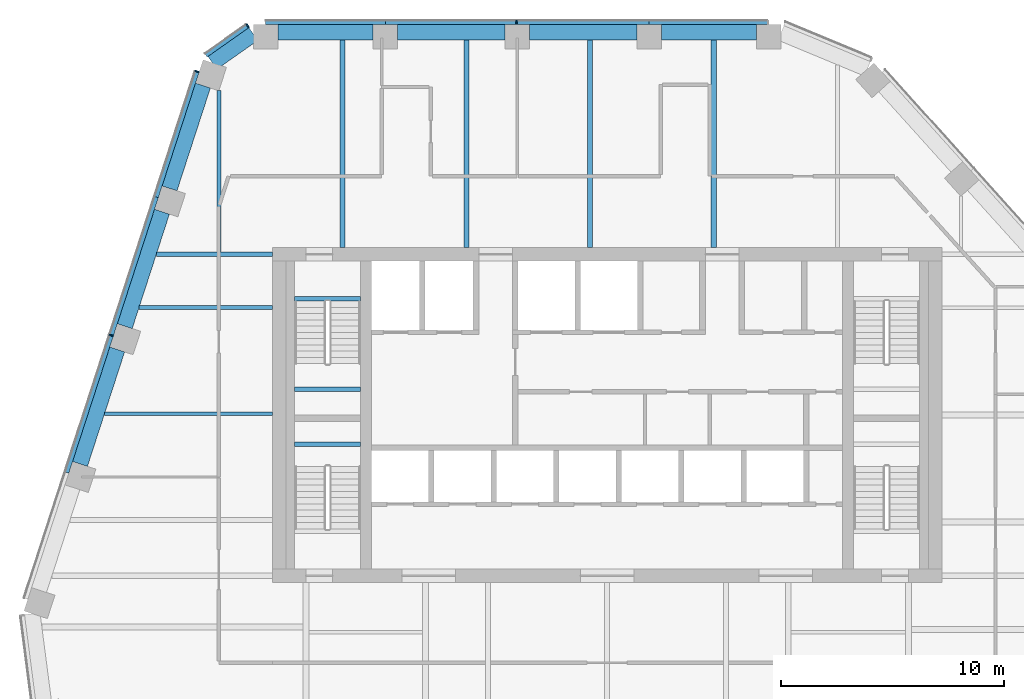
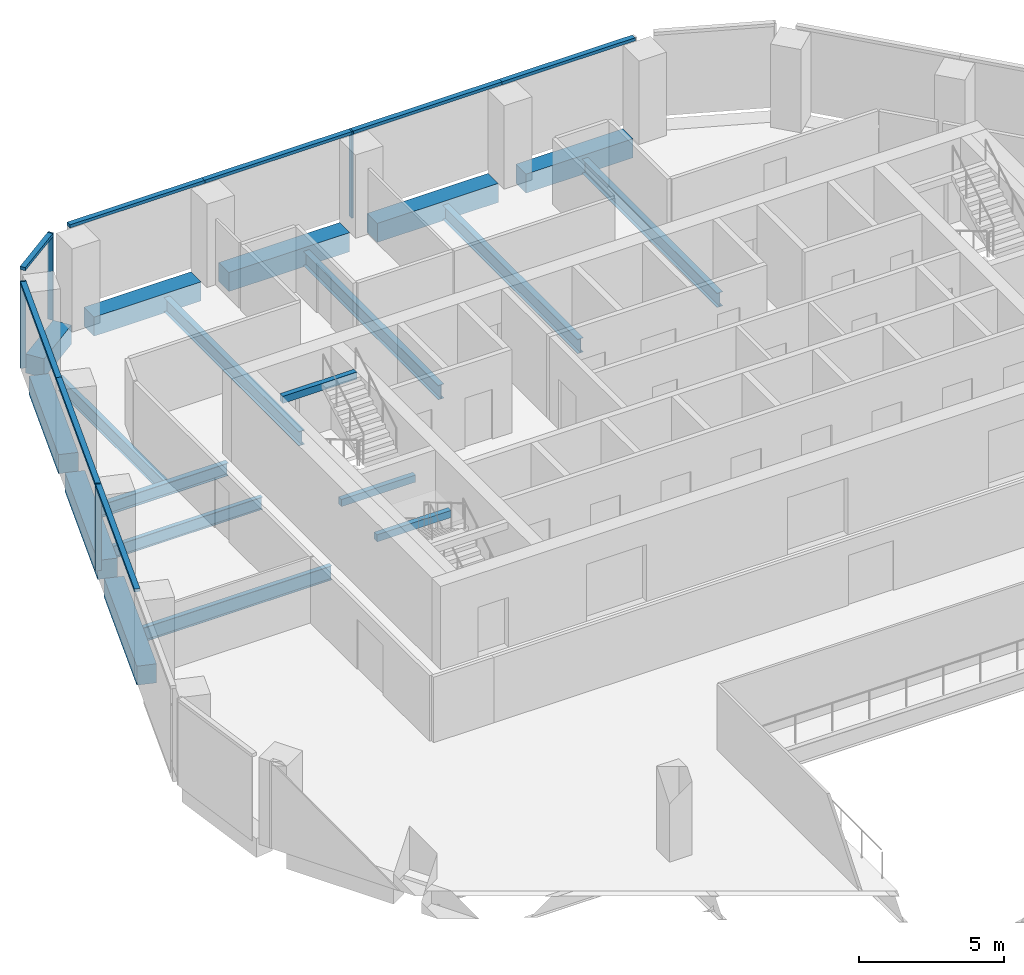
# One storey, part 6 of 15: 19 beams, 12 members, 3 elements without a shape of their own.
"""IFC4 building model written with IfcOpenShell, lengths in metres."""

import ifcopenshell
import ifcopenshell.guid

model = None  # the IFC model being written
_history = None  # IfcOwnerHistory: only IFC2X3 demands one
_inside = {}  # id of a spatial element -> (the spatial element, [elements in it])
_under = {}  # id of a project, library or spatial element -> (it, [spatial elements below it])
_declared = {}  # id of a project -> (the project, [libraries it declares])
_typed = {}  # id of a type object -> (the type object, [elements of that type])
_made_of = {}  # id of a material, layer set ... -> (it, [elements and type objects made of it])


def new_model(schema):
    """Start an empty IFC model of exactly this schema.

    Asked for "IFC4X3", IfcOpenShell would pick the latest addendum, in which some entities
    have other attributes; the version numbers below select the first issue.
    IFC2X3 requires an IfcOwnerHistory on every rooted entity: one is made here for all.
    """
    global model, _history
    if schema == "IFC4X3":
        model = ifcopenshell.file(schema_version=(4, 3, 0, 0))
    else:
        model = ifcopenshell.file(schema=schema)
    _inside.clear()
    _under.clear()
    _declared.clear()
    _typed.clear()
    _made_of.clear()
    _history = None
    if model.schema == "IFC2X3":
        org = make("IfcOrganization", Name="unknown")
        user = make(
            "IfcPersonAndOrganization",
            ThePerson=make("IfcPerson", FamilyName="unknown"),
            TheOrganization=org,
        )
        app = make(
            "IfcApplication",
            ApplicationDeveloper=org,
            Version="unknown",
            ApplicationFullName="unknown",
            ApplicationIdentifier="unknown",
        )
        _history = make(
            "IfcOwnerHistory",
            OwningUser=user,
            OwningApplication=app,
            ChangeAction="ADDED",
            CreationDate=0,
        )
    return model


def make(cls, **values):
    """One entity of the class cls with the attributes given. An attribute that is None is left unset."""
    return model.create_entity(
        cls, **{name: value for name, value in values.items() if value is not None}
    )


def rooted(cls, **values):
    """An entity with a GlobalId (a new one), such as an element, a storey or a relation."""
    return make(cls, GlobalId=ifcopenshell.guid.new(), OwnerHistory=_history, **values)


def si_unit(unit_type, name, prefix=None):
    """IfcSIUnit, for example si_unit("LENGTHUNIT", "METRE", prefix="MILLI")."""
    return make("IfcSIUnit", UnitType=unit_type, Prefix=prefix, Name=name)


def assignment(units):
    """IfcUnitAssignment: the units of a project."""
    return None if units is None else make("IfcUnitAssignment", Units=units)


def point(xyz):
    """IfcCartesianPoint."""
    return None if xyz is None else make("IfcCartesianPoint", Coordinates=xyz)


def direction(xyz):
    """IfcDirection."""
    return None if xyz is None else make("IfcDirection", DirectionRatios=xyz)


def frame(location, z_axis=None, x_axis=None):
    """IfcAxis2Placement3D, a coordinate frame: its origin and axes. An axis left out is left unset."""
    return make(
        "IfcAxis2Placement3D",
        Location=point(location),
        Axis=direction(z_axis),
        RefDirection=direction(x_axis),
    )


def frame_2d(location, x_axis=None):
    """IfcAxis2Placement2D, a coordinate frame in the plane: its origin and x axis."""
    return make(
        "IfcAxis2Placement2D", Location=point(location), RefDirection=direction(x_axis)
    )


def origin():
    """The frame at (0, 0, 0) with its axes left unset."""
    return frame((0.0, 0.0, 0.0))


def origin_2d():
    """The frame at (0, 0) in the plane with its x axis left unset."""
    return frame_2d((0.0, 0.0))


def place(relative_to, where):
    """IfcLocalPlacement: puts the frame where relative to a parent placement (None: the world)."""
    return make(
        "IfcLocalPlacement", PlacementRelTo=relative_to, RelativePlacement=where
    )


def context(
    kind, dimensions, precision=None, world=None, true_north=None, identifier=None
):
    """IfcGeometricRepresentationContext, for example the 3D "Model" context."""
    return make(
        "IfcGeometricRepresentationContext",
        ContextIdentifier=identifier,
        ContextType=kind,
        CoordinateSpaceDimension=dimensions,
        Precision=precision,
        WorldCoordinateSystem=world,
        TrueNorth=true_north,
    )


def subcontext(parent, identifier, kind, view, scale=None):
    """IfcGeometricRepresentationSubContext, for example "Body" below "Model"."""
    return make(
        "IfcGeometricRepresentationSubContext",
        ContextIdentifier=identifier,
        ContextType=kind,
        ParentContext=parent,
        TargetScale=scale,
        TargetView=view,
    )


def project(units=None, contexts=None):
    """IfcProject with its units and contexts."""
    return rooted(
        "IfcProject",
        Name="project",
        RepresentationContexts=contexts,
        UnitsInContext=assignment(units),
    )


def spatial(cls, under=None, at=None, **own):
    """A site, building, storey or space (cls), placed at a placement, below another one or the project."""
    s = rooted(cls, ObjectPlacement=at, **own)
    if under is not None:
        _under.setdefault(under.id(), (under, []))[1].append(s)
    return s


def profile(cls, at=None, kind="AREA", **sizes):
    """A parametric profile (cls). Its sizes go by their IFC names, for example OverallWidth=200.0."""
    return make(cls, ProfileType=kind, Position=at, **sizes)


def rectangle(**sizes):
    """IfcRectangleProfileDef."""
    return profile("IfcRectangleProfileDef", **sizes)


def i_section(**sizes):
    """IfcIShapeProfileDef."""
    return profile("IfcIShapeProfileDef", **sizes)


def extrude(swept, where, along, depth):
    """IfcExtrudedAreaSolid: the profile swept, set in the frame where, extruded along a direction by depth."""
    return make(
        "IfcExtrudedAreaSolid",
        SweptArea=swept,
        Position=where,
        ExtrudedDirection=direction(along),
        Depth=depth,
    )


def shape(context_of_items, identifier, shape_type, items):
    """IfcShapeRepresentation: the items that make up one representation, for example the "Body"."""
    return make(
        "IfcShapeRepresentation",
        ContextOfItems=context_of_items,
        RepresentationIdentifier=identifier,
        RepresentationType=shape_type,
        Items=items,
    )


def material(Name=None, Category=None):
    """IfcMaterial."""
    return make("IfcMaterial", Name=Name, Category=Category)


def layer(
    of_material, thickness, ventilated=None, Name=None, Category=None, Priority=None
):
    """IfcMaterialLayer: one layer of a wall or slab, of a material (None: an air gap)."""
    return make(
        "IfcMaterialLayer",
        Material=of_material,
        LayerThickness=thickness,
        IsVentilated=ventilated,
        Name=Name,
        Category=Category,
        Priority=Priority,
    )


def layer_set(layers, Name=None):
    """IfcMaterialLayerSet."""
    return make("IfcMaterialLayerSet", MaterialLayers=layers, LayerSetName=Name)


def material_profile(
    of_material, cross_section, Name=None, Category=None, Priority=None
):
    """IfcMaterialProfile: a cross section and its material."""
    return make(
        "IfcMaterialProfile",
        Name=Name,
        Material=of_material,
        Profile=cross_section,
        Priority=Priority,
        Category=Category,
    )


def profile_set(profiles, Name=None, composite=None):
    """IfcMaterialProfileSet."""
    return make(
        "IfcMaterialProfileSet",
        Name=Name,
        MaterialProfiles=profiles,
        CompositeProfile=composite,
    )


def made_of(thing, what):
    """Note that an element or type object is made of a material, layer set ...; save() writes the relation."""
    if what is not None:
        _made_of.setdefault(what.id(), (what, []))[1].append(thing)
    return thing


def type_object(cls, material=None, **own):
    """A type object (cls), such as IfcWallType, which elements share."""
    return made_of(rooted(cls, **own), material)


def element(
    cls,
    number,
    at=None,
    inside=None,
    cuts=None,
    type_object=None,
    material=None,
    context=None,
    identifier="Body",
    shape_type=None,
    held_by="IfcProductDefinitionShape",
    body=None,
    shapes=None,
    **own,
):
    """One element of the class cls, such as IfcWall. Its Tag is "e" and its number.

    at: its placement. inside: the storey or other place that contains it. cuts: it is an
    opening in that element (IfcRelVoidsElement). A single representation is given by context,
    identifier, shape_type and body (its items); several are given by shapes. held_by: the class
    of the entity that holds the representations. save() writes the other relations.
    """
    e = rooted(cls, Tag="e%d" % number, ObjectPlacement=at, **own)
    if body is not None:
        shapes = [shape(context, identifier, shape_type, body)]
    if shapes is not None:
        e.Representation = make(held_by, Representations=shapes)
    if inside is not None:
        _inside.setdefault(inside.id(), (inside, []))[1].append(e)
    if cuts is not None:
        rooted(
            "IfcRelVoidsElement", RelatingBuildingElement=cuts, RelatedOpeningElement=e
        )
    if type_object is not None:
        _typed.setdefault(type_object.id(), (type_object, []))[1].append(e)
    return made_of(e, material)


def aggregate(whole, parts):
    """IfcRelAggregates: a whole, such as a stair, and the parts it consists of."""
    return rooted("IfcRelAggregates", RelatingObject=whole, RelatedObjects=parts)


def save(model, path):
    """Write the relations noted so far, then the file.

    IfcRelAggregates (storeys below a building ...), IfcRelContainedInSpatialStructure (elements
    in a storey), IfcRelDefinesByType, IfcRelAssociatesMaterial and IfcRelDeclares: one each for
    every whole, place, type object, material and project.
    """
    for whole, parts in _under.values():
        aggregate(whole, parts)
    for where, things in _inside.values():
        rooted(
            "IfcRelContainedInSpatialStructure",
            RelatedElements=things,
            RelatingStructure=where,
        )
    for kind, things in _typed.values():
        rooted("IfcRelDefinesByType", RelatedObjects=things, RelatingType=kind)
    for what, things in _made_of.values():
        rooted("IfcRelAssociatesMaterial", RelatedObjects=things, RelatingMaterial=what)
    for by, libraries in _declared.values():
        rooted("IfcRelDeclares", RelatingContext=by, RelatedDefinitions=libraries)
    model.write(path)


model = new_model("IFC4")

# Units and contexts
model_context = context("Model", 3, precision=1e-05, world=origin(), true_north=direction((0.0, 1.0)))
body_context = subcontext(model_context, "Body", "Model", "MODEL_VIEW")
ifc_project = project(units=[si_unit("LENGTHUNIT", "METRE"), si_unit("AREAUNIT", "SQUARE_METRE"), si_unit("VOLUMEUNIT", "CUBIC_METRE"), si_unit("PLANEANGLEUNIT", "RADIAN"), si_unit("MASSUNIT", "GRAM", prefix="KILO")], contexts=[model_context])

# Site, building, storey
site_placement = place(None, origin())
site = spatial("IfcSite", under=ifc_project, at=site_placement, CompositionType="ELEMENT")
building_placement = place(site_placement, origin())
building = spatial("IfcBuilding", under=site, at=building_placement, Name="Isthmus Gate Tower", CompositionType="ELEMENT")
storey_placement = place(building_placement, frame((0.0, 0.0, 241.85009765625)))
storey = spatial("IfcBuildingStorey", under=building, at=storey_placement, Name="L61", CompositionType="ELEMENT", Elevation=241.85009765625)

# Curtain wall, member
ifc_material_1 = material(Name="Aluminium, pale champagne anodised", Category="aluminium")
ifc_layer = layer(ifc_material_1, 0.199951171875)
ifc_layer_set = layer_set([ifc_layer], Name="CW-1 UNITISED CURTAIN WALL 200 DEEP")
curtain_wall_type = type_object("IfcCurtainWallType", Name="CW-1 UNITISED CURTAIN WALL 200 DEEP", PredefinedType="NOTDEFINED", material=ifc_layer_set)
curtain_wall_1_placement = place(storey_placement, origin())
curtain_wall_1 = element("IfcCurtainWall", 1, at=curtain_wall_1_placement, inside=storey, type_object=curtain_wall_type, Name="CW-1 N L61", PredefinedType="NOTDEFINED")
ifc_material_2 = material(Name="Aluminium, pale champagne anodised", Category="aluminium")
ifc_material_profile_1 = material_profile(ifc_material_2, rectangle(XDim=0.06005859375, YDim=0.199951171875, at=origin_2d()), Name="60x200")
ifc_profile_set_1 = profile_set([ifc_material_profile_1], Name="Aluminium, pale champagne anodised")
member_type_1 = type_object("IfcMemberType", Name="CW-1 MULLION 60 X 200", PredefinedType="MULLION", material=ifc_profile_set_1)
member_1_placement = place(storey_placement, frame((-4.06005859375, 25.10009765625, 0.0), z_axis=(0.0, 0.0, 1.0), x_axis=(-1.0, 0.0, 0.0)))
member_1 = element("IfcMember", 2, at=member_1_placement, type_object=member_type_1, Name="CW-1 mullion", PredefinedType="MULLION", context=body_context, shape_type="SweptSolid", body=[
    extrude(rectangle(XDim=0.06005859375, YDim=0.199951171875, at=origin_2d()), origin(), (0.0, 0.0, 1.0), 3.64990234375),
])

curtain_wall_2_placement = place(storey_placement, origin())
curtain_wall_2 = element("IfcCurtainWall", 3, at=curtain_wall_2_placement, inside=storey, type_object=curtain_wall_type, Name="CW-1 N-NW L61", PredefinedType="NOTDEFINED")
member_2_placement = place(storey_placement, frame((-16.10595703125, 24.943115234375, 0.0), z_axis=(0.0, 0.0, 1.0), x_axis=(-0.81785959165, -0.57541783805, 0.0)))
member_2 = element("IfcMember", 4, at=member_2_placement, type_object=member_type_1, Name="CW-1 mullion", PredefinedType="MULLION", context=body_context, shape_type="SweptSolid", body=[
    extrude(rectangle(XDim=0.06005859375, YDim=0.199951171875, at=origin_2d()), origin(), (0.0, 0.0, 1.0), 3.64990234375),
])

# Curtain wall, members
curtain_wall_3_placement = place(storey_placement, origin())
curtain_wall_3 = element("IfcCurtainWall", 5, at=curtain_wall_3_placement, inside=storey, type_object=curtain_wall_type, Name="CW-1 NW L61", PredefinedType="NOTDEFINED")
member_3_placement = place(storey_placement, frame((-18.37841796875, 22.894287109375, 0.0), z_axis=(0.0, 0.0, 1.0), x_axis=(-0.309016994375, -0.951056516295, 0.0)))
member_3 = element("IfcMember", 6, at=member_3_placement, type_object=member_type_1, Name="CW-1 mullion", PredefinedType="MULLION", context=body_context, shape_type="SweptSolid", body=[
    extrude(rectangle(XDim=0.06005859375, YDim=0.199951171875, at=origin_2d()), origin(), (0.0, 0.0, 1.0), 3.64990234375),
])
member_4_placement = place(storey_placement, frame((-22.220703125, 11.069091796875, 0.0), z_axis=(0.0, 0.0, 1.0), x_axis=(-0.309016994375, -0.951056516295, 0.0)))
member_4 = element("IfcMember", 7, at=member_4_placement, type_object=member_type_1, Name="CW-1 mullion", PredefinedType="MULLION", context=body_context, shape_type="SweptSolid", body=[
    extrude(rectangle(XDim=0.06005859375, YDim=0.199951171875, at=origin_2d()), origin(), (0.0, 0.0, 1.0), 3.64990234375),
])

# Member
ifc_material_3 = material(Name="Aluminium, pale champagne anodised", Category="aluminium")
ifc_material_profile_2 = material_profile(ifc_material_3, rectangle(XDim=0.199951171875, YDim=0.1298828125, at=origin_2d()), Name="200x130")
ifc_profile_set_2 = profile_set([ifc_material_profile_2], Name="Aluminium, pale champagne anodised")
member_type_2 = type_object("IfcMemberType", Name="CW-1 TRANSOM 200 X 130", PredefinedType="USERDEFINED", material=ifc_profile_set_2)
member_5_placement = place(storey_placement, frame((7.18115234375, 25.10009765625, 3.5849609375), z_axis=(-1.0, 0.0, 0.0), x_axis=(0.0, -1.0, 0.0)))
member_5 = element("IfcMember", 8, at=member_5_placement, type_object=member_type_2, Name="CW-1 transom", ObjectType="TRANSOM", PredefinedType="USERDEFINED", context=body_context, shape_type="SweptSolid", body=[
    extrude(rectangle(XDim=0.199951171875, YDim=0.1298828125, at=origin_2d()), origin(), (0.0, 0.0, 1.0), 5.300537109375),
])

member_6_placement = place(storey_placement, frame((1.880615234375, 25.10009765625, 3.5849609375), z_axis=(-1.0, 0.0, 0.0), x_axis=(0.0, -1.0, 0.0)))
member_6 = element("IfcMember", 9, at=member_6_placement, type_object=member_type_2, Name="CW-1 transom", ObjectType="TRANSOM", PredefinedType="USERDEFINED", context=body_context, shape_type="SweptSolid", body=[
    extrude(rectangle(XDim=0.199951171875, YDim=0.1298828125, at=origin_2d()), origin(), (0.0, 0.0, 1.0), 5.91064453125),
])

member_7_placement = place(storey_placement, frame((-4.090087890625, 25.10009765625, 3.5849609375), z_axis=(-1.0, 0.0, 0.0), x_axis=(0.0, -1.0, 0.0)))
member_7 = element("IfcMember", 10, at=member_7_placement, type_object=member_type_2, Name="CW-1 transom", ObjectType="TRANSOM", PredefinedType="USERDEFINED", context=body_context, shape_type="SweptSolid", body=[
    extrude(rectangle(XDim=0.199951171875, YDim=0.1298828125, at=origin_2d()), origin(), (0.0, 0.0, 1.0), 5.8505859375),
])

member_8_placement = place(storey_placement, frame((-9.940673828125, 25.10009765625, 3.5849609375), z_axis=(-1.0, 0.0, 0.0), x_axis=(0.0, -1.0, 0.0)))
member_8 = element("IfcMember", 11, at=member_8_placement, type_object=member_type_2, Name="CW-1 transom", ObjectType="TRANSOM", PredefinedType="USERDEFINED", context=body_context, shape_type="SweptSolid", body=[
    extrude(rectangle(XDim=0.199951171875, YDim=0.1298828125, at=origin_2d()), origin(), (0.0, 0.0, 1.0), 5.360595703125),
])

aggregate(curtain_wall_1, [member_5, member_6, member_1, member_7, member_8])

member_9_placement = place(storey_placement, frame((-16.130615234375, 24.92578125, 3.5849609375), z_axis=(-0.817868595604, -0.575405040233, 0.0), x_axis=(0.575405040233, -0.817868595604, 0.0)))
member_9 = element("IfcMember", 12, at=member_9_placement, type_object=member_type_2, Name="CW-1 transom", ObjectType="TRANSOM", PredefinedType="USERDEFINED", context=body_context, shape_type="SweptSolid", body=[
    extrude(rectangle(XDim=0.199951171875, YDim=0.1298828125, at=origin_2d()), origin(), (0.0, 0.0, 1.0), 2.258544921875),
])

aggregate(curtain_wall_2, [member_2, member_9])

member_10_placement = place(storey_placement, frame((-18.3876953125, 22.86572265625, 3.5849609375), z_axis=(-0.309021311898, -0.951055113436, 0.0), x_axis=(0.951055113436, -0.309021311898, 0.0)))
member_10 = element("IfcMember", 13, at=member_10_placement, type_object=member_type_2, Name="CW-1 transom", ObjectType="TRANSOM", PredefinedType="USERDEFINED", context=body_context, shape_type="SweptSolid", body=[
    extrude(rectangle(XDim=0.199951171875, YDim=0.1298828125, at=origin_2d()), origin(), (0.0, 0.0, 1.0), 5.8818359375),
])

member_11_placement = place(storey_placement, frame((-20.205322265625, 17.271728515625, 3.5849609375), z_axis=(-0.309020593362, -0.951055346906, 0.0), x_axis=(0.951055346906, -0.309020593362, 0.0)))
member_11 = element("IfcMember", 14, at=member_11_placement, type_object=member_type_2, Name="CW-1 transom", ObjectType="TRANSOM", PredefinedType="USERDEFINED", context=body_context, shape_type="SweptSolid", body=[
    extrude(rectangle(XDim=0.199951171875, YDim=0.1298828125, at=origin_2d()), origin(), (0.0, 0.0, 1.0), 6.49169921875),
])

member_12_placement = place(storey_placement, frame((-22.22998046875, 11.04052734375, 3.5849609375), z_axis=(-0.309010542947, -0.951058612467, 0.0), x_axis=(0.951058612467, -0.309010542947, 0.0)))
member_12 = element("IfcMember", 15, at=member_12_placement, type_object=member_type_2, Name="CW-1 transom", ObjectType="TRANSOM", PredefinedType="USERDEFINED", context=body_context, shape_type="SweptSolid", body=[
    extrude(rectangle(XDim=0.199951171875, YDim=0.1298828125, at=origin_2d()), origin(), (0.0, 0.0, 1.0), 6.431884765625),
])

aggregate(curtain_wall_3, [member_3, member_10, member_11, member_4, member_12])

# Beams
ifc_material_4 = material(Name="Concrete f'c 50 MPa", Category="concrete")
ifc_material_profile_3 = material_profile(ifc_material_4, rectangle(XDim=0.699951171875, YDim=0.800048828125, at=origin_2d()), Name="RC 700X800")
ifc_profile_set_3 = profile_set([ifc_material_profile_3], Name="Concrete f'c 50 MPa")
beam_type_1 = type_object("IfcBeamType", Name="RC SPANDREL 700 X 800", PredefinedType="SPANDREL", material=ifc_profile_set_3)
for number, where, z_axis, x_axis, name in (
    (16, (-23.61962890625, 5.307373046875, -0.400146484375), (0.309032831924, 0.951051370218, 0.0), (-0.951051370218, 0.309032831924, 0.0), "str-spandrel-L61-22"),
    (17, (-21.613525390625, 11.481689453125, -0.400146484375), (0.309032831924, 0.951051370218, 0.0), (-0.951051370218, 0.309032831924, 0.0), "str-spandrel-L61-23"),
):
    element("IfcBeam", number, at=place(storey_placement, frame(where, z_axis=z_axis, x_axis=x_axis)), inside=storey, type_object=beam_type_1, Name=name, PredefinedType="SPANDREL", context=body_context, shape_type="SweptSolid", body=[
        extrude(rectangle(XDim=0.699951171875, YDim=0.800048828125, at=origin_2d()), origin(), (0.0, 0.0, 1.0), 5.391845703125),
    ])
beam_1_placement = place(storey_placement, frame((-19.607421875, 17.65576171875, -0.400146484375), z_axis=(0.309033626624, 0.951051111989, 0.0), x_axis=(-0.951051111989, 0.309033626624, 0.0)))
element("IfcBeam", 18, at=beam_1_placement, inside=storey, type_object=beam_type_1, Name="str-spandrel-L61-24", PredefinedType="SPANDREL", context=body_context, shape_type="SweptSolid", body=[
    extrude(rectangle(XDim=0.699951171875, YDim=0.800048828125, at=origin_2d()), origin(), (0.0, 0.0, 1.0), 4.842041015625),
])
beam_2_placement = place(storey_placement, frame((-17.68798828125, 23.27978515625, -0.400146484375), z_axis=(0.817855686701, 0.575423388237, 0.0), x_axis=(-0.575423388237, 0.817855686701, 0.0)))
element("IfcBeam", 19, at=beam_2_placement, inside=storey, type_object=beam_type_1, Name="str-spandrel-L61-25", PredefinedType="SPANDREL", context=body_context, shape_type="SweptSolid", body=[
    extrude(rectangle(XDim=0.699951171875, YDim=0.800048828125, at=origin_2d()), origin(), (0.0, 0.0, 1.0), 2.24560546875),
])
beam_3_placement = place(storey_placement, frame((-14.751220703125, 24.64990234375, -0.400146484375), z_axis=(1.0, 0.0, 0.0), x_axis=(0.0, 1.0, 0.0)))
element("IfcBeam", 20, at=beam_3_placement, inside=storey, type_object=beam_type_1, Name="str-spandrel-L61-26", PredefinedType="SPANDREL", context=body_context, shape_type="SweptSolid", body=[
    extrude(rectangle(XDim=0.699951171875, YDim=0.800048828125, at=origin_2d()), origin(), (0.0, 0.0, 1.0), 4.260498046875),
])
for number, where, z_axis, x_axis, name in (
    (21, (-9.390625, 24.64990234375, -0.400146484375), (1.0, 0.0, 0.0), (0.0, 1.0, 0.0), "str-spandrel-L61-27"),
    (22, (-3.47998046875, 24.64990234375, -0.400146484375), (1.0, 0.0, 0.0), (0.0, 1.0, 0.0), "str-spandrel-L61-28"),
):
    element("IfcBeam", number, at=place(storey_placement, frame(where, z_axis=z_axis, x_axis=x_axis)), inside=storey, type_object=beam_type_1, Name=name, PredefinedType="SPANDREL", context=body_context, shape_type="SweptSolid", body=[
        extrude(rectangle(XDim=0.699951171875, YDim=0.800048828125, at=origin_2d()), origin(), (0.0, 0.0, 1.0), 4.810546875),
    ])
beam_4_placement = place(storey_placement, frame((2.430419921875, 24.64990234375, -0.400146484375), z_axis=(1.0, 0.0, 0.0), x_axis=(0.0, 1.0, 0.0)))
element("IfcBeam", 23, at=beam_4_placement, inside=storey, type_object=beam_type_1, Name="str-spandrel-L61-29", PredefinedType="SPANDREL", context=body_context, shape_type="SweptSolid", body=[
    extrude(rectangle(XDim=0.699951171875, YDim=0.800048828125, at=origin_2d()), origin(), (0.0, 0.0, 1.0), 4.2607421875),
])
ifc_material_5 = material(Name="Concrete f'c 40 MPa", Category="concrete")
ifc_material_profile_4 = material_profile(ifc_material_5, rectangle(XDim=0.199951171875, YDim=0.300048828125, at=origin_2d()), Name="STAIR LANDING BEAM RC 200 X 300")
ifc_profile_set_4 = profile_set([ifc_material_profile_4], Name="Concrete f'c 40 MPa")
beam_type_2 = type_object("IfcBeamType", Name="STAIR LANDING BEAM RC 200 X 300", PredefinedType="BEAM", material=ifc_profile_set_4)
for number, where, z_axis, x_axis, name in (
    (24, (-14.0, 8.64990234375, 1.474853515625), (1.0, 0.0, 0.0), (0.0, 1.0, 0.0), "L61 ST1 landing beam 1"),
    (25, (-14.0, 12.7001953125, 3.349853515625), (1.0, 0.0, 0.0), (0.0, 1.0, 0.0), "L61 ST1 floor-edge seat beam"),
    (26, (-14.0, 6.199951171875, 1.474853515625), (1.0, 0.0, 0.0), (0.0, 1.0, 0.0), "L61 ST7 landing beam 1"),
):
    element("IfcBeam", number, at=place(storey_placement, frame(where, z_axis=z_axis, x_axis=x_axis)), inside=storey, type_object=beam_type_2, Name=name, PredefinedType="BEAM", context=body_context, shape_type="SweptSolid", body=[
        extrude(rectangle(XDim=0.199951171875, YDim=0.300048828125, at=origin_2d()), origin(), (0.0, 0.0, 1.0), 2.949951171875),
    ])
ifc_material_6 = material(Name="Structural steel ASTM A992 Gr 50", Category="steel")
ifc_material_profile_5 = material_profile(ifc_material_6, i_section(OverallWidth=0.1650390625, OverallDepth=0.52392578125, WebThickness=0.009521484375, FlangeThickness=0.010986328125, at=origin_2d()), Name="W21X44")
ifc_profile_set_5 = profile_set([ifc_material_profile_5], Name="Structural steel ASTM A992 Gr 50")
beam_type_3 = type_object("IfcBeamType", Name="STEEL FLOOR BEAM W21X44", PredefinedType="JOIST", material=ifc_profile_set_5)
beam_5_placement = place(storey_placement, frame((-20.973388671875, 12.319091796875, -0.412109375), z_axis=(1.0, 0.0, 0.0), x_axis=(0.0, 1.0, 0.0)))
element("IfcBeam", 27, at=beam_5_placement, inside=storey, type_object=beam_type_3, Name="str-beam-L61-00-02", PredefinedType="JOIST", context=body_context, shape_type="SweptSolid", body=[
    extrude(i_section(OverallWidth=0.1650390625, OverallDepth=0.52392578125, WebThickness=0.009521484375, FlangeThickness=0.010986328125, at=origin_2d()), origin(), (0.0, 0.0, 1.0), 5.973388671875),
])
ifc_material_7 = material(Name="Structural steel ASTM A992 Gr 50", Category="steel")
ifc_material_profile_6 = material_profile(ifc_material_7, i_section(OverallWidth=0.177734375, OverallDepth=0.60009765625, WebThickness=0.009521484375, FlangeThickness=0.0126953125, at=origin_2d()), Name="W24X55")
ifc_profile_set_6 = profile_set([ifc_material_profile_6], Name="Structural steel ASTM A992 Gr 50")
beam_type_4 = type_object("IfcBeamType", Name="STEEL FLOOR BEAM W24X55", PredefinedType="JOIST", material=ifc_profile_set_6)
beam_6_placement = place(storey_placement, frame((-22.520751953125, 7.55712890625, -0.4501953125), z_axis=(1.0, 0.0, 0.0), x_axis=(0.0, 1.0, 0.0)))
element("IfcBeam", 28, at=beam_6_placement, inside=storey, type_object=beam_type_4, Name="str-beam-L61-00-01", PredefinedType="JOIST", context=body_context, shape_type="SweptSolid", body=[
    extrude(i_section(OverallWidth=0.177734375, OverallDepth=0.60009765625, WebThickness=0.009521484375, FlangeThickness=0.0126953125, at=origin_2d()), origin(), (0.0, 0.0, 1.0), 7.520751953125),
])
beam_7_placement = place(storey_placement, frame((-17.394287109375, 14.8046875, -0.4501953125), z_axis=(0.0, 1.0, 0.0), x_axis=(-1.0, 0.0, 0.0)))
element("IfcBeam", 29, at=beam_7_placement, inside=storey, type_object=beam_type_4, Name="str-beam-L61-05-00", PredefinedType="JOIST", context=body_context, shape_type="SweptSolid", body=[
    extrude(i_section(OverallWidth=0.177734375, OverallDepth=0.60009765625, WebThickness=0.009521484375, FlangeThickness=0.0126953125, at=origin_2d()), origin(), (0.0, 0.0, 1.0), 7.235107421875),
])
ifc_material_8 = material(Name="Structural steel ASTM A992 Gr 50", Category="steel")
ifc_material_profile_7 = material_profile(ifc_material_8, i_section(OverallWidth=0.228515625, OverallDepth=0.603271484375, WebThickness=0.010986328125, FlangeThickness=0.014404296875, at=origin_2d()), Name="W24X68")
ifc_profile_set_7 = profile_set([ifc_material_profile_7], Name="Structural steel ASTM A992 Gr 50")
beam_type_5 = type_object("IfcBeamType", Name="STEEL FLOOR BEAM W24X68", PredefinedType="JOIST", material=ifc_profile_set_7)
for number, where, z_axis, x_axis, name in (
    (30, (-11.8515625, 15.0, -0.45166015625), (0.0, 1.0, 0.0), (-1.0, 0.0, 0.0), "str-beam-L61-05-01"),
    (31, (-6.308837890625, 15.0, -0.45166015625), (0.0, 1.0, 0.0), (-1.0, 0.0, 0.0), "str-beam-L61-05-02"),
    (32, (-0.76611328125, 15.0, -0.45166015625), (0.0, 1.0, 0.0), (-1.0, 0.0, 0.0), "str-beam-L61-05-03"),
    (33, (4.776611328125, 15.0, -0.45166015625), (0.0, 1.0, 0.0), (-1.0, 0.0, 0.0), "str-beam-L61-05-04"),
):
    element("IfcBeam", number, at=place(storey_placement, frame(where, z_axis=z_axis, x_axis=x_axis)), inside=storey, type_object=beam_type_5, Name=name, PredefinedType="JOIST", context=body_context, shape_type="SweptSolid", body=[
        extrude(i_section(OverallWidth=0.228515625, OverallDepth=0.603271484375, WebThickness=0.010986328125, FlangeThickness=0.014404296875, at=origin_2d()), origin(), (0.0, 0.0, 1.0), 9.300048828125),
    ])
ifc_material_9 = material(Name="Structural steel ASTM A992 Gr 50", Category="steel")
ifc_material_profile_8 = material_profile(ifc_material_9, i_section(OverallWidth=0.20947265625, OverallDepth=0.533447265625, WebThickness=0.009521484375, FlangeThickness=0.015869140625, at=origin_2d()), Name="W21X62")
ifc_profile_set_8 = profile_set([ifc_material_profile_8], Name="Structural steel ASTM A992 Gr 50")
beam_type_6 = type_object("IfcBeamType", Name="STEEL GIRDER W21X62", PredefinedType="BEAM", material=ifc_profile_set_8)
beam_8_placement = place(storey_placement, frame((-15.0, 14.699951171875, -0.416748046875), z_axis=(-1.0, 0.0, 0.0), x_axis=(0.0, -1.0, 0.0)))
element("IfcBeam", 34, at=beam_8_placement, inside=storey, type_object=beam_type_6, Name="str-girder-L61-11", PredefinedType="BEAM", context=body_context, shape_type="SweptSolid", body=[
    extrude(i_section(OverallWidth=0.20947265625, OverallDepth=0.533447265625, WebThickness=0.009521484375, FlangeThickness=0.015869140625, at=origin_2d()), origin(), (0.0, 0.0, 1.0), 5.19970703125),
])

save(model, "model.ifc")
